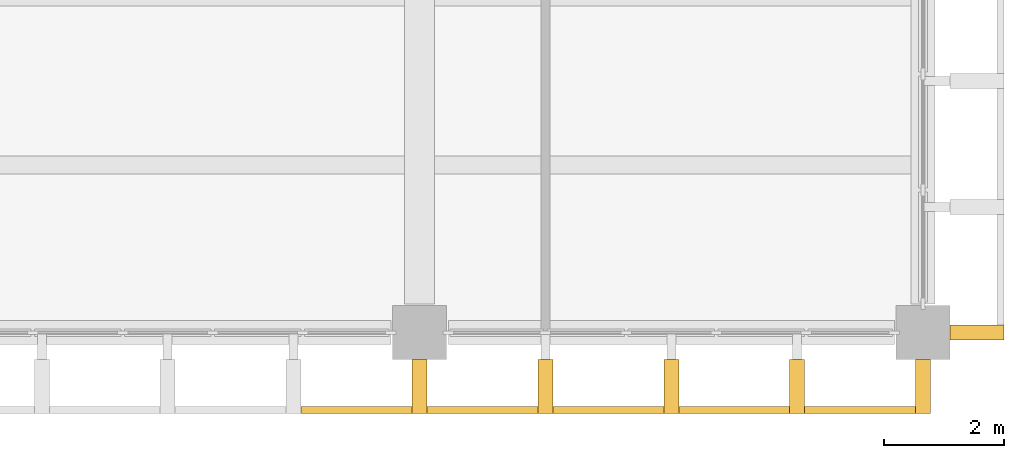
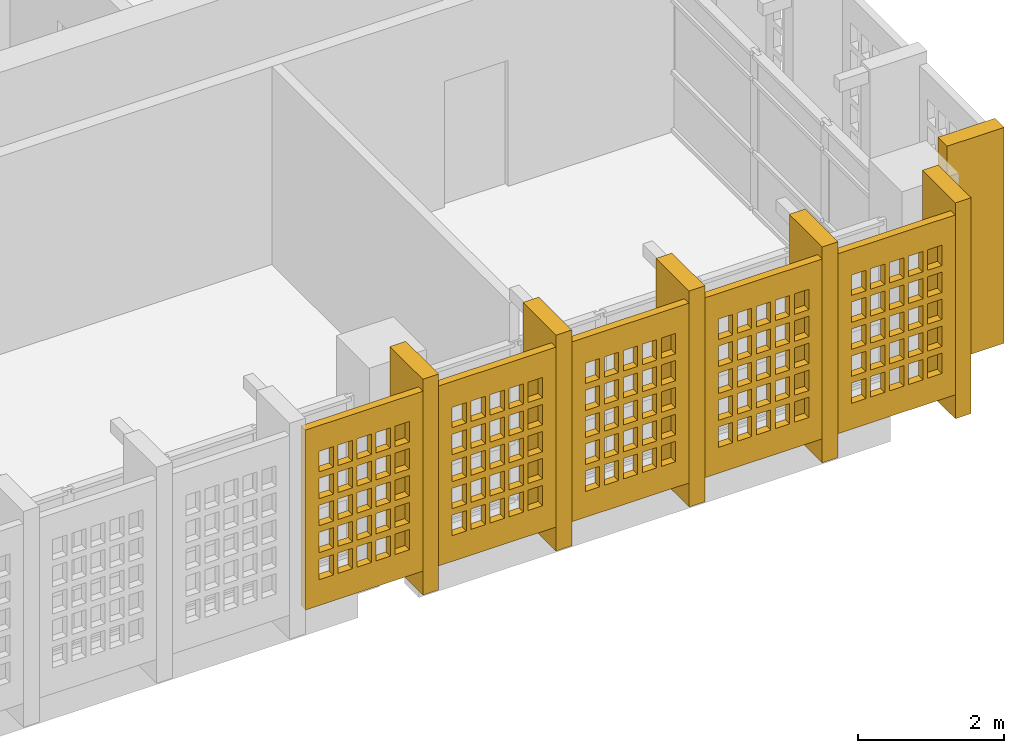
# One storey, part 9 of 13: 11 shading devices, 5 openings.
"""IFC4 building model written with IfcOpenShell, lengths in metres."""

import ifcopenshell
import ifcopenshell.guid

model = None  # the IFC model being written
_history = None  # IfcOwnerHistory: only IFC2X3 demands one
_inside = {}  # id of a spatial element -> (the spatial element, [elements in it])
_under = {}  # id of a project, library or spatial element -> (it, [spatial elements below it])
_declared = {}  # id of a project -> (the project, [libraries it declares])
_typed = {}  # id of a type object -> (the type object, [elements of that type])
_made_of = {}  # id of a material, layer set ... -> (it, [elements and type objects made of it])


def new_model(schema):
    """Start an empty IFC model of exactly this schema.

    Asked for "IFC4X3", IfcOpenShell would pick the latest addendum, in which some entities
    have other attributes; the version numbers below select the first issue.
    IFC2X3 requires an IfcOwnerHistory on every rooted entity: one is made here for all.
    """
    global model, _history
    if schema == "IFC4X3":
        model = ifcopenshell.file(schema_version=(4, 3, 0, 0))
    else:
        model = ifcopenshell.file(schema=schema)
    _inside.clear()
    _under.clear()
    _declared.clear()
    _typed.clear()
    _made_of.clear()
    _history = None
    if model.schema == "IFC2X3":
        org = make("IfcOrganization", Name="unknown")
        user = make(
            "IfcPersonAndOrganization",
            ThePerson=make("IfcPerson", FamilyName="unknown"),
            TheOrganization=org,
        )
        app = make(
            "IfcApplication",
            ApplicationDeveloper=org,
            Version="unknown",
            ApplicationFullName="unknown",
            ApplicationIdentifier="unknown",
        )
        _history = make(
            "IfcOwnerHistory",
            OwningUser=user,
            OwningApplication=app,
            ChangeAction="ADDED",
            CreationDate=0,
        )
    return model


def make(cls, **values):
    """One entity of the class cls with the attributes given. An attribute that is None is left unset."""
    return model.create_entity(
        cls, **{name: value for name, value in values.items() if value is not None}
    )


def rooted(cls, **values):
    """An entity with a GlobalId (a new one), such as an element, a storey or a relation."""
    return make(cls, GlobalId=ifcopenshell.guid.new(), OwnerHistory=_history, **values)


def si_unit(unit_type, name, prefix=None):
    """IfcSIUnit, for example si_unit("LENGTHUNIT", "METRE", prefix="MILLI")."""
    return make("IfcSIUnit", UnitType=unit_type, Prefix=prefix, Name=name)


def assignment(units):
    """IfcUnitAssignment: the units of a project."""
    return None if units is None else make("IfcUnitAssignment", Units=units)


def point(xyz):
    """IfcCartesianPoint."""
    return None if xyz is None else make("IfcCartesianPoint", Coordinates=xyz)


def direction(xyz):
    """IfcDirection."""
    return None if xyz is None else make("IfcDirection", DirectionRatios=xyz)


def frame(location, z_axis=None, x_axis=None):
    """IfcAxis2Placement3D, a coordinate frame: its origin and axes. An axis left out is left unset."""
    return make(
        "IfcAxis2Placement3D",
        Location=point(location),
        Axis=direction(z_axis),
        RefDirection=direction(x_axis),
    )


def frame_2d(location, x_axis=None):
    """IfcAxis2Placement2D, a coordinate frame in the plane: its origin and x axis."""
    return make(
        "IfcAxis2Placement2D", Location=point(location), RefDirection=direction(x_axis)
    )


def origin():
    """The frame at (0, 0, 0) with its axes left unset."""
    return frame((0.0, 0.0, 0.0))


def origin_2d():
    """The frame at (0, 0) in the plane with its x axis left unset."""
    return frame_2d((0.0, 0.0))


def place(relative_to, where):
    """IfcLocalPlacement: puts the frame where relative to a parent placement (None: the world)."""
    return make(
        "IfcLocalPlacement", PlacementRelTo=relative_to, RelativePlacement=where
    )


def context(
    kind, dimensions, precision=None, world=None, true_north=None, identifier=None
):
    """IfcGeometricRepresentationContext, for example the 3D "Model" context."""
    return make(
        "IfcGeometricRepresentationContext",
        ContextIdentifier=identifier,
        ContextType=kind,
        CoordinateSpaceDimension=dimensions,
        Precision=precision,
        WorldCoordinateSystem=world,
        TrueNorth=true_north,
    )


def subcontext(parent, identifier, kind, view, scale=None):
    """IfcGeometricRepresentationSubContext, for example "Body" below "Model"."""
    return make(
        "IfcGeometricRepresentationSubContext",
        ContextIdentifier=identifier,
        ContextType=kind,
        ParentContext=parent,
        TargetScale=scale,
        TargetView=view,
    )


def project(units=None, contexts=None):
    """IfcProject with its units and contexts."""
    return rooted(
        "IfcProject",
        Name="project",
        RepresentationContexts=contexts,
        UnitsInContext=assignment(units),
    )


def spatial(cls, under=None, at=None, **own):
    """A site, building, storey or space (cls), placed at a placement, below another one or the project."""
    s = rooted(cls, ObjectPlacement=at, **own)
    if under is not None:
        _under.setdefault(under.id(), (under, []))[1].append(s)
    return s


def profile(cls, at=None, kind="AREA", **sizes):
    """A parametric profile (cls). Its sizes go by their IFC names, for example OverallWidth=200.0."""
    return make(cls, ProfileType=kind, Position=at, **sizes)


def rectangle(**sizes):
    """IfcRectangleProfileDef."""
    return profile("IfcRectangleProfileDef", **sizes)


def extrude(swept, where, along, depth):
    """IfcExtrudedAreaSolid: the profile swept, set in the frame where, extruded along a direction by depth."""
    return make(
        "IfcExtrudedAreaSolid",
        SweptArea=swept,
        Position=where,
        ExtrudedDirection=direction(along),
        Depth=depth,
    )


def shape(context_of_items, identifier, shape_type, items):
    """IfcShapeRepresentation: the items that make up one representation, for example the "Body"."""
    return make(
        "IfcShapeRepresentation",
        ContextOfItems=context_of_items,
        RepresentationIdentifier=identifier,
        RepresentationType=shape_type,
        Items=items,
    )


def material(Name=None, Category=None):
    """IfcMaterial."""
    return make("IfcMaterial", Name=Name, Category=Category)


def layer(
    of_material, thickness, ventilated=None, Name=None, Category=None, Priority=None
):
    """IfcMaterialLayer: one layer of a wall or slab, of a material (None: an air gap)."""
    return make(
        "IfcMaterialLayer",
        Material=of_material,
        LayerThickness=thickness,
        IsVentilated=ventilated,
        Name=Name,
        Category=Category,
        Priority=Priority,
    )


def layer_set(layers, Name=None):
    """IfcMaterialLayerSet."""
    return make("IfcMaterialLayerSet", MaterialLayers=layers, LayerSetName=Name)


def material_profile(
    of_material, cross_section, Name=None, Category=None, Priority=None
):
    """IfcMaterialProfile: a cross section and its material."""
    return make(
        "IfcMaterialProfile",
        Name=Name,
        Material=of_material,
        Profile=cross_section,
        Priority=Priority,
        Category=Category,
    )


def profile_set(profiles, Name=None, composite=None):
    """IfcMaterialProfileSet."""
    return make(
        "IfcMaterialProfileSet",
        Name=Name,
        MaterialProfiles=profiles,
        CompositeProfile=composite,
    )


def made_of(thing, what):
    """Note that an element or type object is made of a material, layer set ...; save() writes the relation."""
    if what is not None:
        _made_of.setdefault(what.id(), (what, []))[1].append(thing)
    return thing


def type_object(cls, material=None, **own):
    """A type object (cls), such as IfcWallType, which elements share."""
    return made_of(rooted(cls, **own), material)


def element(
    cls,
    number,
    at=None,
    inside=None,
    cuts=None,
    type_object=None,
    material=None,
    context=None,
    identifier="Body",
    shape_type=None,
    held_by="IfcProductDefinitionShape",
    body=None,
    shapes=None,
    **own,
):
    """One element of the class cls, such as IfcWall. Its Tag is "e" and its number.

    at: its placement. inside: the storey or other place that contains it. cuts: it is an
    opening in that element (IfcRelVoidsElement). A single representation is given by context,
    identifier, shape_type and body (its items); several are given by shapes. held_by: the class
    of the entity that holds the representations. save() writes the other relations.
    """
    e = rooted(cls, Tag="e%d" % number, ObjectPlacement=at, **own)
    if body is not None:
        shapes = [shape(context, identifier, shape_type, body)]
    if shapes is not None:
        e.Representation = make(held_by, Representations=shapes)
    if inside is not None:
        _inside.setdefault(inside.id(), (inside, []))[1].append(e)
    if cuts is not None:
        rooted(
            "IfcRelVoidsElement", RelatingBuildingElement=cuts, RelatedOpeningElement=e
        )
    if type_object is not None:
        _typed.setdefault(type_object.id(), (type_object, []))[1].append(e)
    return made_of(e, material)


def aggregate(whole, parts):
    """IfcRelAggregates: a whole, such as a stair, and the parts it consists of."""
    return rooted("IfcRelAggregates", RelatingObject=whole, RelatedObjects=parts)


def save(model, path):
    """Write the relations noted so far, then the file.

    IfcRelAggregates (storeys below a building ...), IfcRelContainedInSpatialStructure (elements
    in a storey), IfcRelDefinesByType, IfcRelAssociatesMaterial and IfcRelDeclares: one each for
    every whole, place, type object, material and project.
    """
    for whole, parts in _under.values():
        aggregate(whole, parts)
    for where, things in _inside.values():
        rooted(
            "IfcRelContainedInSpatialStructure",
            RelatedElements=things,
            RelatingStructure=where,
        )
    for kind, things in _typed.values():
        rooted("IfcRelDefinesByType", RelatedObjects=things, RelatingType=kind)
    for what, things in _made_of.values():
        rooted("IfcRelAssociatesMaterial", RelatedObjects=things, RelatingMaterial=what)
    for by, libraries in _declared.values():
        rooted("IfcRelDeclares", RelatingContext=by, RelatedDefinitions=libraries)
    model.write(path)


model = new_model("IFC4")

# Units and contexts
model_context = context("Model", 3, precision=1e-05, world=origin(), true_north=direction((0.0, 1.0)))
body_context = subcontext(model_context, "Body", "Model", "MODEL_VIEW")
ifc_project = project(units=[si_unit("LENGTHUNIT", "METRE"), si_unit("AREAUNIT", "SQUARE_METRE"), si_unit("VOLUMEUNIT", "CUBIC_METRE"), si_unit("PLANEANGLEUNIT", "RADIAN"), si_unit("MASSUNIT", "GRAM", prefix="KILO")], contexts=[model_context])

# Site, building, storey
site_placement = place(None, origin())
site = spatial("IfcSite", under=ifc_project, at=site_placement, CompositionType="ELEMENT")
building_placement = place(site_placement, origin())
building = spatial("IfcBuilding", under=site, at=building_placement, Name="Rulbaag Community and Learning Centre", CompositionType="ELEMENT")
storey_placement = place(building_placement, frame((0.0, 0.0, 25.199951171875)))
storey = spatial("IfcBuildingStorey", under=building, at=storey_placement, Name="L06", CompositionType="ELEMENT", Elevation=25.199951171875)

# Shading devices
ifc_material = material(Name="Concrete M40", Category="concrete")
ifc_material_profile = material_profile(ifc_material, rectangle(XDim=0.25, YDim=0.89990234375, at=origin_2d()), Name="PC 250x900")
ifc_profile_set = profile_set([ifc_material_profile], Name="Concrete M40")
shading_device_type_1 = type_object("IfcShadingDeviceType", Name="FIN-H", PredefinedType="JALOUSIE", material=ifc_profile_set)
for number, where, z_axis, x_axis, name in (
    (1, (159.60009765625, 83.10009765625, 0.0), (0.0, 0.0, 1.0), (1.0, 0.0, 0.0), "Precast fin"),
    (2, (161.699951171875, 83.10009765625, 0.0), (0.0, 0.0, 1.0), (1.0, 0.0, 0.0), "Precast fin"),
    (3, (163.800048828125, 83.10009765625, 0.0), (0.0, 0.0, 1.0), (1.0, 0.0, 0.0), "Precast fin"),
    (4, (165.89990234375, 83.10009765625, 0.0), (0.0, 0.0, 1.0), (1.0, 0.0, 0.0), "Precast fin"),
    (5, (168.0, 83.10009765625, 0.0), (0.0, 0.0, 1.0), (1.0, 0.0, 0.0), "Precast fin"),
    (6, (168.89990234375, 84.0, 0.0), (0.0, 0.0, 1.0), (0.0, 1.0, 0.0), "Precast fin"),
):
    element("IfcShadingDevice", number, at=place(storey_placement, frame(where, z_axis=z_axis, x_axis=x_axis)), inside=storey, type_object=shading_device_type_1, Name=name, PredefinedType="JALOUSIE", context=body_context, shape_type="SweptSolid", body=[
        extrude(rectangle(XDim=0.25, YDim=0.89990234375, at=origin_2d()), origin(), (0.0, 0.0, 1.0), 3.60009765625),
    ])

# Shading device, opening
ifc_layer = layer(ifc_material, 0.1201171875)
ifc_layer_set = layer_set([ifc_layer], Name="JB-83")
shading_device_type_2 = type_object("IfcShadingDeviceType", Name="JB-83", PredefinedType="SHUTTER", material=ifc_layer_set)
shading_device_1_placement = place(storey_placement, frame((158.550048828125, 82.7099609375, 0.400146484375), z_axis=(0.0, 0.0, 1.0), x_axis=(1.0, 0.0, 0.0)))
shading_device_1 = element("IfcShadingDevice", 7, at=shading_device_1_placement, inside=storey, type_object=shading_device_type_2, Name="Jaali screen", PredefinedType="SHUTTER", context=body_context, shape_type="SweptSolid", body=[
    extrude(rectangle(XDim=1.85009765625, YDim=0.1201171875, at=origin_2d()), origin(), (0.0, 0.0, 1.0), 3.0),
])
opening_1_placement = place(shading_device_1_placement, origin())
element("IfcOpeningElement", 8, at=opening_1_placement, cuts=shading_device_1, Name="Perforation JB1", PredefinedType="OPENING", context=body_context, shape_type="SweptSolid", body=[
    extrude(rectangle(XDim=0.22509765625, YDim=0.340087890625, at=origin_2d()), frame((-0.60009765625, -0.070068359375, 0.60009765625), z_axis=(0.0, 1.0, 0.0), x_axis=(1.0, 0.0, 0.0)), (0.0, 0.0, 1.0), 0.139892578125),
    extrude(rectangle(XDim=0.22509765625, YDim=0.340087890625, at=origin_2d()), frame((-0.300048828125, -0.070068359375, 0.60009765625), z_axis=(0.0, 1.0, 0.0), x_axis=(1.0, 0.0, 0.0)), (0.0, 0.0, 1.0), 0.139892578125),
    extrude(rectangle(XDim=0.22509765625, YDim=0.340087890625, at=origin_2d()), frame((0.0, -0.070068359375, 0.60009765625), z_axis=(0.0, 1.0, 0.0), x_axis=(1.0, 0.0, 0.0)), (0.0, 0.0, 1.0), 0.139892578125),
    extrude(rectangle(XDim=0.22509765625, YDim=0.340087890625, at=origin_2d()), frame((0.300048828125, -0.070068359375, 0.60009765625), z_axis=(0.0, 1.0, 0.0), x_axis=(1.0, 0.0, 0.0)), (0.0, 0.0, 1.0), 0.139892578125),
    extrude(rectangle(XDim=0.22509765625, YDim=0.340087890625, at=origin_2d()), frame((0.60009765625, -0.070068359375, 0.60009765625), z_axis=(0.0, 1.0, 0.0), x_axis=(1.0, 0.0, 0.0)), (0.0, 0.0, 1.0), 0.139892578125),
    extrude(rectangle(XDim=0.22509765625, YDim=0.340087890625, at=origin_2d()), frame((-0.60009765625, -0.070068359375, 1.050048828125), z_axis=(0.0, 1.0, 0.0), x_axis=(1.0, 0.0, 0.0)), (0.0, 0.0, 1.0), 0.139892578125),
    extrude(rectangle(XDim=0.22509765625, YDim=0.340087890625, at=origin_2d()), frame((-0.300048828125, -0.070068359375, 1.050048828125), z_axis=(0.0, 1.0, 0.0), x_axis=(1.0, 0.0, 0.0)), (0.0, 0.0, 1.0), 0.139892578125),
    extrude(rectangle(XDim=0.22509765625, YDim=0.340087890625, at=origin_2d()), frame((0.0, -0.070068359375, 1.050048828125), z_axis=(0.0, 1.0, 0.0), x_axis=(1.0, 0.0, 0.0)), (0.0, 0.0, 1.0), 0.139892578125),
    extrude(rectangle(XDim=0.22509765625, YDim=0.340087890625, at=origin_2d()), frame((0.300048828125, -0.070068359375, 1.050048828125), z_axis=(0.0, 1.0, 0.0), x_axis=(1.0, 0.0, 0.0)), (0.0, 0.0, 1.0), 0.139892578125),
    extrude(rectangle(XDim=0.22509765625, YDim=0.340087890625, at=origin_2d()), frame((0.60009765625, -0.070068359375, 1.050048828125), z_axis=(0.0, 1.0, 0.0), x_axis=(1.0, 0.0, 0.0)), (0.0, 0.0, 1.0), 0.139892578125),
    extrude(rectangle(XDim=0.22509765625, YDim=0.340087890625, at=origin_2d()), frame((-0.60009765625, -0.070068359375, 1.5), z_axis=(0.0, 1.0, 0.0), x_axis=(1.0, 0.0, 0.0)), (0.0, 0.0, 1.0), 0.139892578125),
    extrude(rectangle(XDim=0.22509765625, YDim=0.340087890625, at=origin_2d()), frame((-0.300048828125, -0.070068359375, 1.5), z_axis=(0.0, 1.0, 0.0), x_axis=(1.0, 0.0, 0.0)), (0.0, 0.0, 1.0), 0.139892578125),
    extrude(rectangle(XDim=0.22509765625, YDim=0.340087890625, at=origin_2d()), frame((0.0, -0.070068359375, 1.5), z_axis=(0.0, 1.0, 0.0), x_axis=(1.0, 0.0, 0.0)), (0.0, 0.0, 1.0), 0.139892578125),
    extrude(rectangle(XDim=0.22509765625, YDim=0.340087890625, at=origin_2d()), frame((0.300048828125, -0.070068359375, 1.5), z_axis=(0.0, 1.0, 0.0), x_axis=(1.0, 0.0, 0.0)), (0.0, 0.0, 1.0), 0.139892578125),
    extrude(rectangle(XDim=0.22509765625, YDim=0.340087890625, at=origin_2d()), frame((0.60009765625, -0.070068359375, 1.5), z_axis=(0.0, 1.0, 0.0), x_axis=(1.0, 0.0, 0.0)), (0.0, 0.0, 1.0), 0.139892578125),
    extrude(rectangle(XDim=0.22509765625, YDim=0.340087890625, at=origin_2d()), frame((-0.60009765625, -0.070068359375, 1.949951171875), z_axis=(0.0, 1.0, 0.0), x_axis=(1.0, 0.0, 0.0)), (0.0, 0.0, 1.0), 0.139892578125),
    extrude(rectangle(XDim=0.22509765625, YDim=0.340087890625, at=origin_2d()), frame((-0.300048828125, -0.070068359375, 1.949951171875), z_axis=(0.0, 1.0, 0.0), x_axis=(1.0, 0.0, 0.0)), (0.0, 0.0, 1.0), 0.139892578125),
    extrude(rectangle(XDim=0.22509765625, YDim=0.340087890625, at=origin_2d()), frame((0.0, -0.070068359375, 1.949951171875), z_axis=(0.0, 1.0, 0.0), x_axis=(1.0, 0.0, 0.0)), (0.0, 0.0, 1.0), 0.139892578125),
    extrude(rectangle(XDim=0.22509765625, YDim=0.340087890625, at=origin_2d()), frame((0.300048828125, -0.070068359375, 1.949951171875), z_axis=(0.0, 1.0, 0.0), x_axis=(1.0, 0.0, 0.0)), (0.0, 0.0, 1.0), 0.139892578125),
    extrude(rectangle(XDim=0.22509765625, YDim=0.340087890625, at=origin_2d()), frame((0.60009765625, -0.070068359375, 1.949951171875), z_axis=(0.0, 1.0, 0.0), x_axis=(1.0, 0.0, 0.0)), (0.0, 0.0, 1.0), 0.139892578125),
    extrude(rectangle(XDim=0.22509765625, YDim=0.340087890625, at=origin_2d()), frame((-0.60009765625, -0.070068359375, 2.39990234375), z_axis=(0.0, 1.0, 0.0), x_axis=(1.0, 0.0, 0.0)), (0.0, 0.0, 1.0), 0.139892578125),
    extrude(rectangle(XDim=0.22509765625, YDim=0.340087890625, at=origin_2d()), frame((-0.300048828125, -0.070068359375, 2.39990234375), z_axis=(0.0, 1.0, 0.0), x_axis=(1.0, 0.0, 0.0)), (0.0, 0.0, 1.0), 0.139892578125),
    extrude(rectangle(XDim=0.22509765625, YDim=0.340087890625, at=origin_2d()), frame((0.0, -0.070068359375, 2.39990234375), z_axis=(0.0, 1.0, 0.0), x_axis=(1.0, 0.0, 0.0)), (0.0, 0.0, 1.0), 0.139892578125),
    extrude(rectangle(XDim=0.22509765625, YDim=0.340087890625, at=origin_2d()), frame((0.300048828125, -0.070068359375, 2.39990234375), z_axis=(0.0, 1.0, 0.0), x_axis=(1.0, 0.0, 0.0)), (0.0, 0.0, 1.0), 0.139892578125),
    extrude(rectangle(XDim=0.22509765625, YDim=0.340087890625, at=origin_2d()), frame((0.60009765625, -0.070068359375, 2.39990234375), z_axis=(0.0, 1.0, 0.0), x_axis=(1.0, 0.0, 0.0)), (0.0, 0.0, 1.0), 0.139892578125),
])

shading_device_2_placement = place(storey_placement, frame((160.64990234375, 82.7099609375, 0.400146484375), z_axis=(0.0, 0.0, 1.0), x_axis=(1.0, 0.0, 0.0)))
shading_device_2 = element("IfcShadingDevice", 9, at=shading_device_2_placement, inside=storey, type_object=shading_device_type_2, Name="Jaali screen", PredefinedType="SHUTTER", context=body_context, shape_type="SweptSolid", body=[
    extrude(rectangle(XDim=1.85009765625, YDim=0.1201171875, at=origin_2d()), origin(), (0.0, 0.0, 1.0), 3.0),
])
opening_2_placement = place(shading_device_2_placement, origin())
element("IfcOpeningElement", 10, at=opening_2_placement, cuts=shading_device_2, Name="Perforation JB1", PredefinedType="OPENING", context=body_context, shape_type="SweptSolid", body=[
    extrude(rectangle(XDim=0.22509765625, YDim=0.340087890625, at=origin_2d()), frame((-0.60009765625, -0.070068359375, 0.60009765625), z_axis=(0.0, 1.0, 0.0), x_axis=(1.0, 0.0, 0.0)), (0.0, 0.0, 1.0), 0.139892578125),
    extrude(rectangle(XDim=0.22509765625, YDim=0.340087890625, at=origin_2d()), frame((-0.300048828125, -0.070068359375, 0.60009765625), z_axis=(0.0, 1.0, 0.0), x_axis=(1.0, 0.0, 0.0)), (0.0, 0.0, 1.0), 0.139892578125),
    extrude(rectangle(XDim=0.22509765625, YDim=0.340087890625, at=origin_2d()), frame((0.0, -0.070068359375, 0.60009765625), z_axis=(0.0, 1.0, 0.0), x_axis=(1.0, 0.0, 0.0)), (0.0, 0.0, 1.0), 0.139892578125),
    extrude(rectangle(XDim=0.22509765625, YDim=0.340087890625, at=origin_2d()), frame((0.300048828125, -0.070068359375, 0.60009765625), z_axis=(0.0, 1.0, 0.0), x_axis=(1.0, 0.0, 0.0)), (0.0, 0.0, 1.0), 0.139892578125),
    extrude(rectangle(XDim=0.22509765625, YDim=0.340087890625, at=origin_2d()), frame((0.60009765625, -0.070068359375, 0.60009765625), z_axis=(0.0, 1.0, 0.0), x_axis=(1.0, 0.0, 0.0)), (0.0, 0.0, 1.0), 0.139892578125),
    extrude(rectangle(XDim=0.22509765625, YDim=0.340087890625, at=origin_2d()), frame((-0.60009765625, -0.070068359375, 1.050048828125), z_axis=(0.0, 1.0, 0.0), x_axis=(1.0, 0.0, 0.0)), (0.0, 0.0, 1.0), 0.139892578125),
    extrude(rectangle(XDim=0.22509765625, YDim=0.340087890625, at=origin_2d()), frame((-0.300048828125, -0.070068359375, 1.050048828125), z_axis=(0.0, 1.0, 0.0), x_axis=(1.0, 0.0, 0.0)), (0.0, 0.0, 1.0), 0.139892578125),
    extrude(rectangle(XDim=0.22509765625, YDim=0.340087890625, at=origin_2d()), frame((0.0, -0.070068359375, 1.050048828125), z_axis=(0.0, 1.0, 0.0), x_axis=(1.0, 0.0, 0.0)), (0.0, 0.0, 1.0), 0.139892578125),
    extrude(rectangle(XDim=0.22509765625, YDim=0.340087890625, at=origin_2d()), frame((0.300048828125, -0.070068359375, 1.050048828125), z_axis=(0.0, 1.0, 0.0), x_axis=(1.0, 0.0, 0.0)), (0.0, 0.0, 1.0), 0.139892578125),
    extrude(rectangle(XDim=0.22509765625, YDim=0.340087890625, at=origin_2d()), frame((0.60009765625, -0.070068359375, 1.050048828125), z_axis=(0.0, 1.0, 0.0), x_axis=(1.0, 0.0, 0.0)), (0.0, 0.0, 1.0), 0.139892578125),
    extrude(rectangle(XDim=0.22509765625, YDim=0.340087890625, at=origin_2d()), frame((-0.60009765625, -0.070068359375, 1.5), z_axis=(0.0, 1.0, 0.0), x_axis=(1.0, 0.0, 0.0)), (0.0, 0.0, 1.0), 0.139892578125),
    extrude(rectangle(XDim=0.22509765625, YDim=0.340087890625, at=origin_2d()), frame((-0.300048828125, -0.070068359375, 1.5), z_axis=(0.0, 1.0, 0.0), x_axis=(1.0, 0.0, 0.0)), (0.0, 0.0, 1.0), 0.139892578125),
    extrude(rectangle(XDim=0.22509765625, YDim=0.340087890625, at=origin_2d()), frame((0.0, -0.070068359375, 1.5), z_axis=(0.0, 1.0, 0.0), x_axis=(1.0, 0.0, 0.0)), (0.0, 0.0, 1.0), 0.139892578125),
    extrude(rectangle(XDim=0.22509765625, YDim=0.340087890625, at=origin_2d()), frame((0.300048828125, -0.070068359375, 1.5), z_axis=(0.0, 1.0, 0.0), x_axis=(1.0, 0.0, 0.0)), (0.0, 0.0, 1.0), 0.139892578125),
    extrude(rectangle(XDim=0.22509765625, YDim=0.340087890625, at=origin_2d()), frame((0.60009765625, -0.070068359375, 1.5), z_axis=(0.0, 1.0, 0.0), x_axis=(1.0, 0.0, 0.0)), (0.0, 0.0, 1.0), 0.139892578125),
    extrude(rectangle(XDim=0.22509765625, YDim=0.340087890625, at=origin_2d()), frame((-0.60009765625, -0.070068359375, 1.949951171875), z_axis=(0.0, 1.0, 0.0), x_axis=(1.0, 0.0, 0.0)), (0.0, 0.0, 1.0), 0.139892578125),
    extrude(rectangle(XDim=0.22509765625, YDim=0.340087890625, at=origin_2d()), frame((-0.300048828125, -0.070068359375, 1.949951171875), z_axis=(0.0, 1.0, 0.0), x_axis=(1.0, 0.0, 0.0)), (0.0, 0.0, 1.0), 0.139892578125),
    extrude(rectangle(XDim=0.22509765625, YDim=0.340087890625, at=origin_2d()), frame((0.0, -0.070068359375, 1.949951171875), z_axis=(0.0, 1.0, 0.0), x_axis=(1.0, 0.0, 0.0)), (0.0, 0.0, 1.0), 0.139892578125),
    extrude(rectangle(XDim=0.22509765625, YDim=0.340087890625, at=origin_2d()), frame((0.300048828125, -0.070068359375, 1.949951171875), z_axis=(0.0, 1.0, 0.0), x_axis=(1.0, 0.0, 0.0)), (0.0, 0.0, 1.0), 0.139892578125),
    extrude(rectangle(XDim=0.22509765625, YDim=0.340087890625, at=origin_2d()), frame((0.60009765625, -0.070068359375, 1.949951171875), z_axis=(0.0, 1.0, 0.0), x_axis=(1.0, 0.0, 0.0)), (0.0, 0.0, 1.0), 0.139892578125),
    extrude(rectangle(XDim=0.22509765625, YDim=0.340087890625, at=origin_2d()), frame((-0.60009765625, -0.070068359375, 2.39990234375), z_axis=(0.0, 1.0, 0.0), x_axis=(1.0, 0.0, 0.0)), (0.0, 0.0, 1.0), 0.139892578125),
    extrude(rectangle(XDim=0.22509765625, YDim=0.340087890625, at=origin_2d()), frame((-0.300048828125, -0.070068359375, 2.39990234375), z_axis=(0.0, 1.0, 0.0), x_axis=(1.0, 0.0, 0.0)), (0.0, 0.0, 1.0), 0.139892578125),
    extrude(rectangle(XDim=0.22509765625, YDim=0.340087890625, at=origin_2d()), frame((0.0, -0.070068359375, 2.39990234375), z_axis=(0.0, 1.0, 0.0), x_axis=(1.0, 0.0, 0.0)), (0.0, 0.0, 1.0), 0.139892578125),
    extrude(rectangle(XDim=0.22509765625, YDim=0.340087890625, at=origin_2d()), frame((0.300048828125, -0.070068359375, 2.39990234375), z_axis=(0.0, 1.0, 0.0), x_axis=(1.0, 0.0, 0.0)), (0.0, 0.0, 1.0), 0.139892578125),
    extrude(rectangle(XDim=0.22509765625, YDim=0.340087890625, at=origin_2d()), frame((0.60009765625, -0.070068359375, 2.39990234375), z_axis=(0.0, 1.0, 0.0), x_axis=(1.0, 0.0, 0.0)), (0.0, 0.0, 1.0), 0.139892578125),
])

shading_device_3_placement = place(storey_placement, frame((162.75, 82.7099609375, 0.400146484375), z_axis=(0.0, 0.0, 1.0), x_axis=(1.0, 0.0, 0.0)))
shading_device_3 = element("IfcShadingDevice", 11, at=shading_device_3_placement, inside=storey, type_object=shading_device_type_2, Name="Jaali screen", PredefinedType="SHUTTER", context=body_context, shape_type="SweptSolid", body=[
    extrude(rectangle(XDim=1.85009765625, YDim=0.1201171875, at=origin_2d()), origin(), (0.0, 0.0, 1.0), 3.0),
])
opening_3_placement = place(shading_device_3_placement, origin())
element("IfcOpeningElement", 12, at=opening_3_placement, cuts=shading_device_3, Name="Perforation JB1", PredefinedType="OPENING", context=body_context, shape_type="SweptSolid", body=[
    extrude(rectangle(XDim=0.22509765625, YDim=0.340087890625, at=origin_2d()), frame((-0.60009765625, -0.070068359375, 0.60009765625), z_axis=(0.0, 1.0, 0.0), x_axis=(1.0, 0.0, 0.0)), (0.0, 0.0, 1.0), 0.139892578125),
    extrude(rectangle(XDim=0.22509765625, YDim=0.340087890625, at=origin_2d()), frame((-0.300048828125, -0.070068359375, 0.60009765625), z_axis=(0.0, 1.0, 0.0), x_axis=(1.0, 0.0, 0.0)), (0.0, 0.0, 1.0), 0.139892578125),
    extrude(rectangle(XDim=0.22509765625, YDim=0.340087890625, at=origin_2d()), frame((0.0, -0.070068359375, 0.60009765625), z_axis=(0.0, 1.0, 0.0), x_axis=(1.0, 0.0, 0.0)), (0.0, 0.0, 1.0), 0.139892578125),
    extrude(rectangle(XDim=0.22509765625, YDim=0.340087890625, at=origin_2d()), frame((0.300048828125, -0.070068359375, 0.60009765625), z_axis=(0.0, 1.0, 0.0), x_axis=(1.0, 0.0, 0.0)), (0.0, 0.0, 1.0), 0.139892578125),
    extrude(rectangle(XDim=0.22509765625, YDim=0.340087890625, at=origin_2d()), frame((0.60009765625, -0.070068359375, 0.60009765625), z_axis=(0.0, 1.0, 0.0), x_axis=(1.0, 0.0, 0.0)), (0.0, 0.0, 1.0), 0.139892578125),
    extrude(rectangle(XDim=0.22509765625, YDim=0.340087890625, at=origin_2d()), frame((-0.60009765625, -0.070068359375, 1.050048828125), z_axis=(0.0, 1.0, 0.0), x_axis=(1.0, 0.0, 0.0)), (0.0, 0.0, 1.0), 0.139892578125),
    extrude(rectangle(XDim=0.22509765625, YDim=0.340087890625, at=origin_2d()), frame((-0.300048828125, -0.070068359375, 1.050048828125), z_axis=(0.0, 1.0, 0.0), x_axis=(1.0, 0.0, 0.0)), (0.0, 0.0, 1.0), 0.139892578125),
    extrude(rectangle(XDim=0.22509765625, YDim=0.340087890625, at=origin_2d()), frame((0.0, -0.070068359375, 1.050048828125), z_axis=(0.0, 1.0, 0.0), x_axis=(1.0, 0.0, 0.0)), (0.0, 0.0, 1.0), 0.139892578125),
    extrude(rectangle(XDim=0.22509765625, YDim=0.340087890625, at=origin_2d()), frame((0.300048828125, -0.070068359375, 1.050048828125), z_axis=(0.0, 1.0, 0.0), x_axis=(1.0, 0.0, 0.0)), (0.0, 0.0, 1.0), 0.139892578125),
    extrude(rectangle(XDim=0.22509765625, YDim=0.340087890625, at=origin_2d()), frame((0.60009765625, -0.070068359375, 1.050048828125), z_axis=(0.0, 1.0, 0.0), x_axis=(1.0, 0.0, 0.0)), (0.0, 0.0, 1.0), 0.139892578125),
    extrude(rectangle(XDim=0.22509765625, YDim=0.340087890625, at=origin_2d()), frame((-0.60009765625, -0.070068359375, 1.5), z_axis=(0.0, 1.0, 0.0), x_axis=(1.0, 0.0, 0.0)), (0.0, 0.0, 1.0), 0.139892578125),
    extrude(rectangle(XDim=0.22509765625, YDim=0.340087890625, at=origin_2d()), frame((-0.300048828125, -0.070068359375, 1.5), z_axis=(0.0, 1.0, 0.0), x_axis=(1.0, 0.0, 0.0)), (0.0, 0.0, 1.0), 0.139892578125),
    extrude(rectangle(XDim=0.22509765625, YDim=0.340087890625, at=origin_2d()), frame((0.0, -0.070068359375, 1.5), z_axis=(0.0, 1.0, 0.0), x_axis=(1.0, 0.0, 0.0)), (0.0, 0.0, 1.0), 0.139892578125),
    extrude(rectangle(XDim=0.22509765625, YDim=0.340087890625, at=origin_2d()), frame((0.300048828125, -0.070068359375, 1.5), z_axis=(0.0, 1.0, 0.0), x_axis=(1.0, 0.0, 0.0)), (0.0, 0.0, 1.0), 0.139892578125),
    extrude(rectangle(XDim=0.22509765625, YDim=0.340087890625, at=origin_2d()), frame((0.60009765625, -0.070068359375, 1.5), z_axis=(0.0, 1.0, 0.0), x_axis=(1.0, 0.0, 0.0)), (0.0, 0.0, 1.0), 0.139892578125),
    extrude(rectangle(XDim=0.22509765625, YDim=0.340087890625, at=origin_2d()), frame((-0.60009765625, -0.070068359375, 1.949951171875), z_axis=(0.0, 1.0, 0.0), x_axis=(1.0, 0.0, 0.0)), (0.0, 0.0, 1.0), 0.139892578125),
    extrude(rectangle(XDim=0.22509765625, YDim=0.340087890625, at=origin_2d()), frame((-0.300048828125, -0.070068359375, 1.949951171875), z_axis=(0.0, 1.0, 0.0), x_axis=(1.0, 0.0, 0.0)), (0.0, 0.0, 1.0), 0.139892578125),
    extrude(rectangle(XDim=0.22509765625, YDim=0.340087890625, at=origin_2d()), frame((0.0, -0.070068359375, 1.949951171875), z_axis=(0.0, 1.0, 0.0), x_axis=(1.0, 0.0, 0.0)), (0.0, 0.0, 1.0), 0.139892578125),
    extrude(rectangle(XDim=0.22509765625, YDim=0.340087890625, at=origin_2d()), frame((0.300048828125, -0.070068359375, 1.949951171875), z_axis=(0.0, 1.0, 0.0), x_axis=(1.0, 0.0, 0.0)), (0.0, 0.0, 1.0), 0.139892578125),
    extrude(rectangle(XDim=0.22509765625, YDim=0.340087890625, at=origin_2d()), frame((0.60009765625, -0.070068359375, 1.949951171875), z_axis=(0.0, 1.0, 0.0), x_axis=(1.0, 0.0, 0.0)), (0.0, 0.0, 1.0), 0.139892578125),
    extrude(rectangle(XDim=0.22509765625, YDim=0.340087890625, at=origin_2d()), frame((-0.60009765625, -0.070068359375, 2.39990234375), z_axis=(0.0, 1.0, 0.0), x_axis=(1.0, 0.0, 0.0)), (0.0, 0.0, 1.0), 0.139892578125),
    extrude(rectangle(XDim=0.22509765625, YDim=0.340087890625, at=origin_2d()), frame((-0.300048828125, -0.070068359375, 2.39990234375), z_axis=(0.0, 1.0, 0.0), x_axis=(1.0, 0.0, 0.0)), (0.0, 0.0, 1.0), 0.139892578125),
    extrude(rectangle(XDim=0.22509765625, YDim=0.340087890625, at=origin_2d()), frame((0.0, -0.070068359375, 2.39990234375), z_axis=(0.0, 1.0, 0.0), x_axis=(1.0, 0.0, 0.0)), (0.0, 0.0, 1.0), 0.139892578125),
    extrude(rectangle(XDim=0.22509765625, YDim=0.340087890625, at=origin_2d()), frame((0.300048828125, -0.070068359375, 2.39990234375), z_axis=(0.0, 1.0, 0.0), x_axis=(1.0, 0.0, 0.0)), (0.0, 0.0, 1.0), 0.139892578125),
    extrude(rectangle(XDim=0.22509765625, YDim=0.340087890625, at=origin_2d()), frame((0.60009765625, -0.070068359375, 2.39990234375), z_axis=(0.0, 1.0, 0.0), x_axis=(1.0, 0.0, 0.0)), (0.0, 0.0, 1.0), 0.139892578125),
])

shading_device_4_placement = place(storey_placement, frame((164.85009765625, 82.7099609375, 0.400146484375), z_axis=(0.0, 0.0, 1.0), x_axis=(1.0, 0.0, 0.0)))
shading_device_4 = element("IfcShadingDevice", 13, at=shading_device_4_placement, inside=storey, type_object=shading_device_type_2, Name="Jaali screen", PredefinedType="SHUTTER", context=body_context, shape_type="SweptSolid", body=[
    extrude(rectangle(XDim=1.85009765625, YDim=0.1201171875, at=origin_2d()), origin(), (0.0, 0.0, 1.0), 3.0),
])
opening_4_placement = place(shading_device_4_placement, origin())
element("IfcOpeningElement", 14, at=opening_4_placement, cuts=shading_device_4, Name="Perforation JB1", PredefinedType="OPENING", context=body_context, shape_type="SweptSolid", body=[
    extrude(rectangle(XDim=0.22509765625, YDim=0.340087890625, at=origin_2d()), frame((-0.60009765625, -0.070068359375, 0.60009765625), z_axis=(0.0, 1.0, 0.0), x_axis=(1.0, 0.0, 0.0)), (0.0, 0.0, 1.0), 0.139892578125),
    extrude(rectangle(XDim=0.22509765625, YDim=0.340087890625, at=origin_2d()), frame((-0.300048828125, -0.070068359375, 0.60009765625), z_axis=(0.0, 1.0, 0.0), x_axis=(1.0, 0.0, 0.0)), (0.0, 0.0, 1.0), 0.139892578125),
    extrude(rectangle(XDim=0.22509765625, YDim=0.340087890625, at=origin_2d()), frame((0.0, -0.070068359375, 0.60009765625), z_axis=(0.0, 1.0, 0.0), x_axis=(1.0, 0.0, 0.0)), (0.0, 0.0, 1.0), 0.139892578125),
    extrude(rectangle(XDim=0.22509765625, YDim=0.340087890625, at=origin_2d()), frame((0.300048828125, -0.070068359375, 0.60009765625), z_axis=(0.0, 1.0, 0.0), x_axis=(1.0, 0.0, 0.0)), (0.0, 0.0, 1.0), 0.139892578125),
    extrude(rectangle(XDim=0.22509765625, YDim=0.340087890625, at=origin_2d()), frame((0.60009765625, -0.070068359375, 0.60009765625), z_axis=(0.0, 1.0, 0.0), x_axis=(1.0, 0.0, 0.0)), (0.0, 0.0, 1.0), 0.139892578125),
    extrude(rectangle(XDim=0.22509765625, YDim=0.340087890625, at=origin_2d()), frame((-0.60009765625, -0.070068359375, 1.050048828125), z_axis=(0.0, 1.0, 0.0), x_axis=(1.0, 0.0, 0.0)), (0.0, 0.0, 1.0), 0.139892578125),
    extrude(rectangle(XDim=0.22509765625, YDim=0.340087890625, at=origin_2d()), frame((-0.300048828125, -0.070068359375, 1.050048828125), z_axis=(0.0, 1.0, 0.0), x_axis=(1.0, 0.0, 0.0)), (0.0, 0.0, 1.0), 0.139892578125),
    extrude(rectangle(XDim=0.22509765625, YDim=0.340087890625, at=origin_2d()), frame((0.0, -0.070068359375, 1.050048828125), z_axis=(0.0, 1.0, 0.0), x_axis=(1.0, 0.0, 0.0)), (0.0, 0.0, 1.0), 0.139892578125),
    extrude(rectangle(XDim=0.22509765625, YDim=0.340087890625, at=origin_2d()), frame((0.300048828125, -0.070068359375, 1.050048828125), z_axis=(0.0, 1.0, 0.0), x_axis=(1.0, 0.0, 0.0)), (0.0, 0.0, 1.0), 0.139892578125),
    extrude(rectangle(XDim=0.22509765625, YDim=0.340087890625, at=origin_2d()), frame((0.60009765625, -0.070068359375, 1.050048828125), z_axis=(0.0, 1.0, 0.0), x_axis=(1.0, 0.0, 0.0)), (0.0, 0.0, 1.0), 0.139892578125),
    extrude(rectangle(XDim=0.22509765625, YDim=0.340087890625, at=origin_2d()), frame((-0.60009765625, -0.070068359375, 1.5), z_axis=(0.0, 1.0, 0.0), x_axis=(1.0, 0.0, 0.0)), (0.0, 0.0, 1.0), 0.139892578125),
    extrude(rectangle(XDim=0.22509765625, YDim=0.340087890625, at=origin_2d()), frame((-0.300048828125, -0.070068359375, 1.5), z_axis=(0.0, 1.0, 0.0), x_axis=(1.0, 0.0, 0.0)), (0.0, 0.0, 1.0), 0.139892578125),
    extrude(rectangle(XDim=0.22509765625, YDim=0.340087890625, at=origin_2d()), frame((0.0, -0.070068359375, 1.5), z_axis=(0.0, 1.0, 0.0), x_axis=(1.0, 0.0, 0.0)), (0.0, 0.0, 1.0), 0.139892578125),
    extrude(rectangle(XDim=0.22509765625, YDim=0.340087890625, at=origin_2d()), frame((0.300048828125, -0.070068359375, 1.5), z_axis=(0.0, 1.0, 0.0), x_axis=(1.0, 0.0, 0.0)), (0.0, 0.0, 1.0), 0.139892578125),
    extrude(rectangle(XDim=0.22509765625, YDim=0.340087890625, at=origin_2d()), frame((0.60009765625, -0.070068359375, 1.5), z_axis=(0.0, 1.0, 0.0), x_axis=(1.0, 0.0, 0.0)), (0.0, 0.0, 1.0), 0.139892578125),
    extrude(rectangle(XDim=0.22509765625, YDim=0.340087890625, at=origin_2d()), frame((-0.60009765625, -0.070068359375, 1.949951171875), z_axis=(0.0, 1.0, 0.0), x_axis=(1.0, 0.0, 0.0)), (0.0, 0.0, 1.0), 0.139892578125),
    extrude(rectangle(XDim=0.22509765625, YDim=0.340087890625, at=origin_2d()), frame((-0.300048828125, -0.070068359375, 1.949951171875), z_axis=(0.0, 1.0, 0.0), x_axis=(1.0, 0.0, 0.0)), (0.0, 0.0, 1.0), 0.139892578125),
    extrude(rectangle(XDim=0.22509765625, YDim=0.340087890625, at=origin_2d()), frame((0.0, -0.070068359375, 1.949951171875), z_axis=(0.0, 1.0, 0.0), x_axis=(1.0, 0.0, 0.0)), (0.0, 0.0, 1.0), 0.139892578125),
    extrude(rectangle(XDim=0.22509765625, YDim=0.340087890625, at=origin_2d()), frame((0.300048828125, -0.070068359375, 1.949951171875), z_axis=(0.0, 1.0, 0.0), x_axis=(1.0, 0.0, 0.0)), (0.0, 0.0, 1.0), 0.139892578125),
    extrude(rectangle(XDim=0.22509765625, YDim=0.340087890625, at=origin_2d()), frame((0.60009765625, -0.070068359375, 1.949951171875), z_axis=(0.0, 1.0, 0.0), x_axis=(1.0, 0.0, 0.0)), (0.0, 0.0, 1.0), 0.139892578125),
    extrude(rectangle(XDim=0.22509765625, YDim=0.340087890625, at=origin_2d()), frame((-0.60009765625, -0.070068359375, 2.39990234375), z_axis=(0.0, 1.0, 0.0), x_axis=(1.0, 0.0, 0.0)), (0.0, 0.0, 1.0), 0.139892578125),
    extrude(rectangle(XDim=0.22509765625, YDim=0.340087890625, at=origin_2d()), frame((-0.300048828125, -0.070068359375, 2.39990234375), z_axis=(0.0, 1.0, 0.0), x_axis=(1.0, 0.0, 0.0)), (0.0, 0.0, 1.0), 0.139892578125),
    extrude(rectangle(XDim=0.22509765625, YDim=0.340087890625, at=origin_2d()), frame((0.0, -0.070068359375, 2.39990234375), z_axis=(0.0, 1.0, 0.0), x_axis=(1.0, 0.0, 0.0)), (0.0, 0.0, 1.0), 0.139892578125),
    extrude(rectangle(XDim=0.22509765625, YDim=0.340087890625, at=origin_2d()), frame((0.300048828125, -0.070068359375, 2.39990234375), z_axis=(0.0, 1.0, 0.0), x_axis=(1.0, 0.0, 0.0)), (0.0, 0.0, 1.0), 0.139892578125),
    extrude(rectangle(XDim=0.22509765625, YDim=0.340087890625, at=origin_2d()), frame((0.60009765625, -0.070068359375, 2.39990234375), z_axis=(0.0, 1.0, 0.0), x_axis=(1.0, 0.0, 0.0)), (0.0, 0.0, 1.0), 0.139892578125),
])

shading_device_5_placement = place(storey_placement, frame((166.949951171875, 82.7099609375, 0.400146484375), z_axis=(0.0, 0.0, 1.0), x_axis=(1.0, 0.0, 0.0)))
shading_device_5 = element("IfcShadingDevice", 15, at=shading_device_5_placement, inside=storey, type_object=shading_device_type_2, Name="Jaali screen", PredefinedType="SHUTTER", context=body_context, shape_type="SweptSolid", body=[
    extrude(rectangle(XDim=1.85009765625, YDim=0.1201171875, at=origin_2d()), origin(), (0.0, 0.0, 1.0), 3.0),
])
opening_5_placement = place(shading_device_5_placement, origin())
element("IfcOpeningElement", 16, at=opening_5_placement, cuts=shading_device_5, Name="Perforation JB1", PredefinedType="OPENING", context=body_context, shape_type="SweptSolid", body=[
    extrude(rectangle(XDim=0.22509765625, YDim=0.340087890625, at=origin_2d()), frame((-0.60009765625, -0.070068359375, 0.60009765625), z_axis=(0.0, 1.0, 0.0), x_axis=(1.0, 0.0, 0.0)), (0.0, 0.0, 1.0), 0.139892578125),
    extrude(rectangle(XDim=0.22509765625, YDim=0.340087890625, at=origin_2d()), frame((-0.300048828125, -0.070068359375, 0.60009765625), z_axis=(0.0, 1.0, 0.0), x_axis=(1.0, 0.0, 0.0)), (0.0, 0.0, 1.0), 0.139892578125),
    extrude(rectangle(XDim=0.22509765625, YDim=0.340087890625, at=origin_2d()), frame((0.0, -0.070068359375, 0.60009765625), z_axis=(0.0, 1.0, 0.0), x_axis=(1.0, 0.0, 0.0)), (0.0, 0.0, 1.0), 0.139892578125),
    extrude(rectangle(XDim=0.22509765625, YDim=0.340087890625, at=origin_2d()), frame((0.300048828125, -0.070068359375, 0.60009765625), z_axis=(0.0, 1.0, 0.0), x_axis=(1.0, 0.0, 0.0)), (0.0, 0.0, 1.0), 0.139892578125),
    extrude(rectangle(XDim=0.22509765625, YDim=0.340087890625, at=origin_2d()), frame((0.60009765625, -0.070068359375, 0.60009765625), z_axis=(0.0, 1.0, 0.0), x_axis=(1.0, 0.0, 0.0)), (0.0, 0.0, 1.0), 0.139892578125),
    extrude(rectangle(XDim=0.22509765625, YDim=0.340087890625, at=origin_2d()), frame((-0.60009765625, -0.070068359375, 1.050048828125), z_axis=(0.0, 1.0, 0.0), x_axis=(1.0, 0.0, 0.0)), (0.0, 0.0, 1.0), 0.139892578125),
    extrude(rectangle(XDim=0.22509765625, YDim=0.340087890625, at=origin_2d()), frame((-0.300048828125, -0.070068359375, 1.050048828125), z_axis=(0.0, 1.0, 0.0), x_axis=(1.0, 0.0, 0.0)), (0.0, 0.0, 1.0), 0.139892578125),
    extrude(rectangle(XDim=0.22509765625, YDim=0.340087890625, at=origin_2d()), frame((0.0, -0.070068359375, 1.050048828125), z_axis=(0.0, 1.0, 0.0), x_axis=(1.0, 0.0, 0.0)), (0.0, 0.0, 1.0), 0.139892578125),
    extrude(rectangle(XDim=0.22509765625, YDim=0.340087890625, at=origin_2d()), frame((0.300048828125, -0.070068359375, 1.050048828125), z_axis=(0.0, 1.0, 0.0), x_axis=(1.0, 0.0, 0.0)), (0.0, 0.0, 1.0), 0.139892578125),
    extrude(rectangle(XDim=0.22509765625, YDim=0.340087890625, at=origin_2d()), frame((0.60009765625, -0.070068359375, 1.050048828125), z_axis=(0.0, 1.0, 0.0), x_axis=(1.0, 0.0, 0.0)), (0.0, 0.0, 1.0), 0.139892578125),
    extrude(rectangle(XDim=0.22509765625, YDim=0.340087890625, at=origin_2d()), frame((-0.60009765625, -0.070068359375, 1.5), z_axis=(0.0, 1.0, 0.0), x_axis=(1.0, 0.0, 0.0)), (0.0, 0.0, 1.0), 0.139892578125),
    extrude(rectangle(XDim=0.22509765625, YDim=0.340087890625, at=origin_2d()), frame((-0.300048828125, -0.070068359375, 1.5), z_axis=(0.0, 1.0, 0.0), x_axis=(1.0, 0.0, 0.0)), (0.0, 0.0, 1.0), 0.139892578125),
    extrude(rectangle(XDim=0.22509765625, YDim=0.340087890625, at=origin_2d()), frame((0.0, -0.070068359375, 1.5), z_axis=(0.0, 1.0, 0.0), x_axis=(1.0, 0.0, 0.0)), (0.0, 0.0, 1.0), 0.139892578125),
    extrude(rectangle(XDim=0.22509765625, YDim=0.340087890625, at=origin_2d()), frame((0.300048828125, -0.070068359375, 1.5), z_axis=(0.0, 1.0, 0.0), x_axis=(1.0, 0.0, 0.0)), (0.0, 0.0, 1.0), 0.139892578125),
    extrude(rectangle(XDim=0.22509765625, YDim=0.340087890625, at=origin_2d()), frame((0.60009765625, -0.070068359375, 1.5), z_axis=(0.0, 1.0, 0.0), x_axis=(1.0, 0.0, 0.0)), (0.0, 0.0, 1.0), 0.139892578125),
    extrude(rectangle(XDim=0.22509765625, YDim=0.340087890625, at=origin_2d()), frame((-0.60009765625, -0.070068359375, 1.949951171875), z_axis=(0.0, 1.0, 0.0), x_axis=(1.0, 0.0, 0.0)), (0.0, 0.0, 1.0), 0.139892578125),
    extrude(rectangle(XDim=0.22509765625, YDim=0.340087890625, at=origin_2d()), frame((-0.300048828125, -0.070068359375, 1.949951171875), z_axis=(0.0, 1.0, 0.0), x_axis=(1.0, 0.0, 0.0)), (0.0, 0.0, 1.0), 0.139892578125),
    extrude(rectangle(XDim=0.22509765625, YDim=0.340087890625, at=origin_2d()), frame((0.0, -0.070068359375, 1.949951171875), z_axis=(0.0, 1.0, 0.0), x_axis=(1.0, 0.0, 0.0)), (0.0, 0.0, 1.0), 0.139892578125),
    extrude(rectangle(XDim=0.22509765625, YDim=0.340087890625, at=origin_2d()), frame((0.300048828125, -0.070068359375, 1.949951171875), z_axis=(0.0, 1.0, 0.0), x_axis=(1.0, 0.0, 0.0)), (0.0, 0.0, 1.0), 0.139892578125),
    extrude(rectangle(XDim=0.22509765625, YDim=0.340087890625, at=origin_2d()), frame((0.60009765625, -0.070068359375, 1.949951171875), z_axis=(0.0, 1.0, 0.0), x_axis=(1.0, 0.0, 0.0)), (0.0, 0.0, 1.0), 0.139892578125),
    extrude(rectangle(XDim=0.22509765625, YDim=0.340087890625, at=origin_2d()), frame((-0.60009765625, -0.070068359375, 2.39990234375), z_axis=(0.0, 1.0, 0.0), x_axis=(1.0, 0.0, 0.0)), (0.0, 0.0, 1.0), 0.139892578125),
    extrude(rectangle(XDim=0.22509765625, YDim=0.340087890625, at=origin_2d()), frame((-0.300048828125, -0.070068359375, 2.39990234375), z_axis=(0.0, 1.0, 0.0), x_axis=(1.0, 0.0, 0.0)), (0.0, 0.0, 1.0), 0.139892578125),
    extrude(rectangle(XDim=0.22509765625, YDim=0.340087890625, at=origin_2d()), frame((0.0, -0.070068359375, 2.39990234375), z_axis=(0.0, 1.0, 0.0), x_axis=(1.0, 0.0, 0.0)), (0.0, 0.0, 1.0), 0.139892578125),
    extrude(rectangle(XDim=0.22509765625, YDim=0.340087890625, at=origin_2d()), frame((0.300048828125, -0.070068359375, 2.39990234375), z_axis=(0.0, 1.0, 0.0), x_axis=(1.0, 0.0, 0.0)), (0.0, 0.0, 1.0), 0.139892578125),
    extrude(rectangle(XDim=0.22509765625, YDim=0.340087890625, at=origin_2d()), frame((0.60009765625, -0.070068359375, 2.39990234375), z_axis=(0.0, 1.0, 0.0), x_axis=(1.0, 0.0, 0.0)), (0.0, 0.0, 1.0), 0.139892578125),
])

save(model, "model.ifc")
